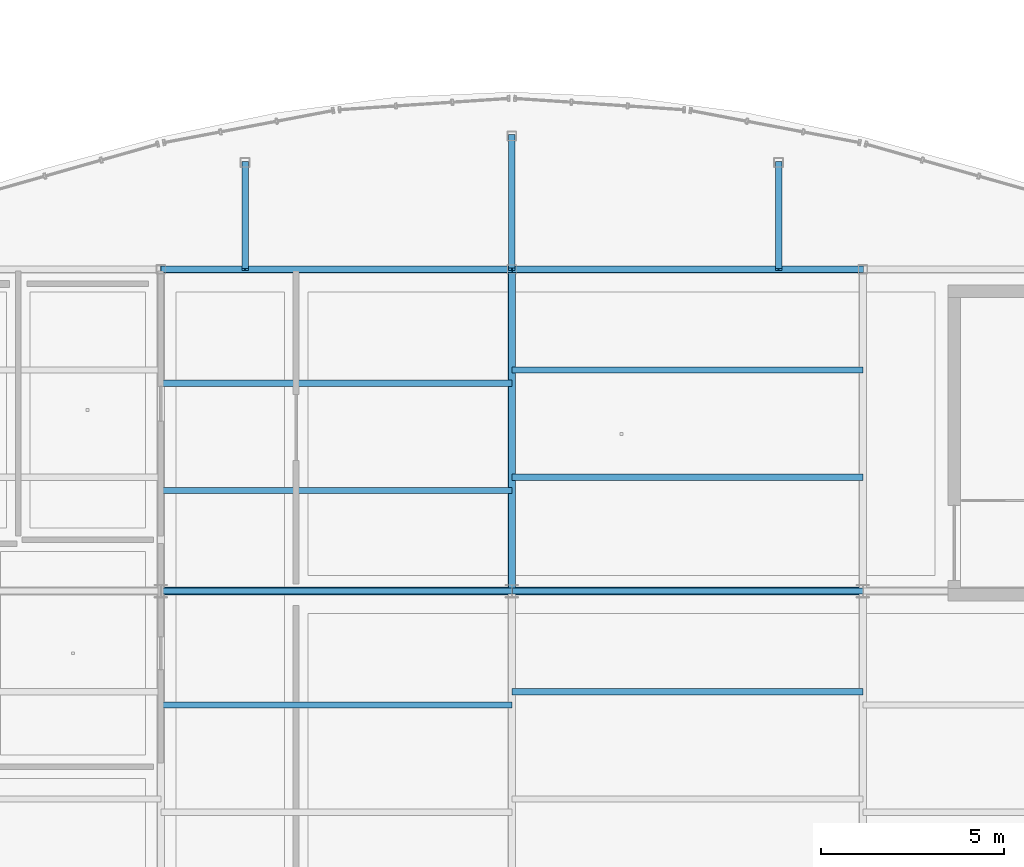
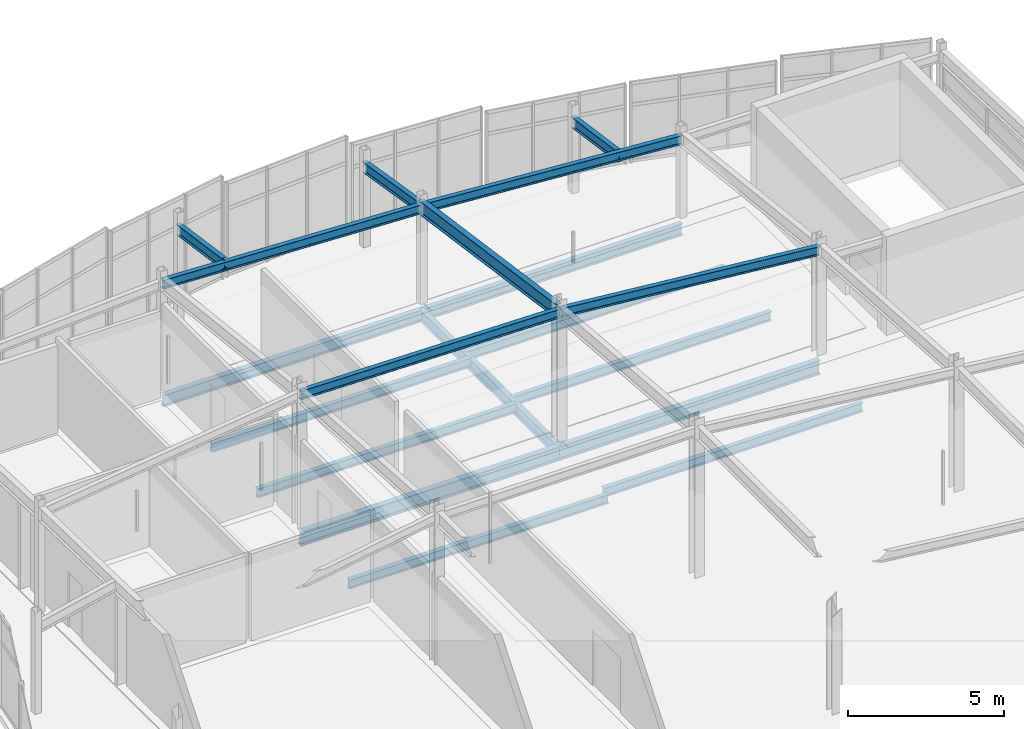
# One storey, part 31 of 114: 12 beams, 7 members.
"""IFC4 building model written with IfcOpenShell, lengths in metres."""

from ifc_helpers import new_model, si_unit, direction, frame, origin, origin_2d, place, context, subcontext, project, spatial, i_section, extrude, material, material_profile, profile_set, type_object, element, save


model = new_model("IFC4")

# Units and contexts
model_context = context("Model", 3, precision=1e-05, world=origin(), true_north=direction((0.0, 1.0)))
body_context = subcontext(model_context, "Body", "Model", "MODEL_VIEW")
ifc_project = project(units=[si_unit("LENGTHUNIT", "METRE"), si_unit("AREAUNIT", "SQUARE_METRE"), si_unit("VOLUMEUNIT", "CUBIC_METRE"), si_unit("PLANEANGLEUNIT", "RADIAN"), si_unit("MASSUNIT", "GRAM", prefix="KILO")], contexts=[model_context])

# Site, building, storey
site_placement = place(None, origin())
site = spatial("IfcSite", under=ifc_project, at=site_placement, CompositionType="ELEMENT")
building_placement = place(site_placement, origin())
building = spatial("IfcBuilding", under=site, at=building_placement, Name="Chalmorin Arch Market", CompositionType="ELEMENT")
storey_placement = place(building_placement, frame((0.0, 0.0, 9.60009765625)))
storey = spatial("IfcBuildingStorey", under=building, at=storey_placement, Name="L02", CompositionType="ELEMENT", Elevation=9.60009765625)

# Beams
ifc_material = material(Name="Steel A992 Grade 50", Category="steel")
ifc_material_profile_1 = material_profile(ifc_material, i_section(OverallWidth=0.19091796875, OverallDepth=0.45703125, WebThickness=0.009033203125, FlangeThickness=0.014404296875, FilletRadius=0.02001953125, at=origin_2d()), Name="W18X50")
ifc_profile_set_1 = profile_set([ifc_material_profile_1], Name="Steel A992 Grade 50")
beam_type_1 = type_object("IfcBeamType", Name="FloorSteelBeam-W18X50", PredefinedType="BEAM", material=ifc_profile_set_1)
beam_1_placement = place(storey_placement, frame((19.199951171875, 41.199951171875, -0.480712890625), z_axis=(0.0, 1.0, 0.0), x_axis=(-1.0, 0.0, 0.0)))
element("IfcBeam", 1, at=beam_1_placement, inside=storey, type_object=beam_type_1, Name="BM-W18B-1160", PredefinedType="BEAM", context=body_context, shape_type="SweptSolid", body=[
    extrude(i_section(OverallWidth=0.19091796875, OverallDepth=0.45703125, WebThickness=0.009033203125, FlangeThickness=0.014404296875, FilletRadius=0.02001953125, at=origin_2d()), origin(), (0.0, 0.0, 1.0), 8.800048828125),
])
ifc_material_profile_2 = material_profile(ifc_material, i_section(OverallWidth=0.19091796875, OverallDepth=0.45703125, WebThickness=0.009033203125, FlangeThickness=0.014404296875, FilletRadius=0.02001953125, at=origin_2d()), Name="W18X50")
ifc_profile_set_2 = profile_set([ifc_material_profile_2], Name="Steel A992 Grade 50")
beam_type_2 = type_object("IfcBeamType", Name="PerimeterSpandrelBeam-W18X50", PredefinedType="SPANDREL", material=ifc_profile_set_2)
beam_2_placement = place(storey_placement, frame((9.60009765625, 50.0, -0.480712890625), z_axis=(1.0, 0.0, 0.0), x_axis=(0.0, 1.0, 0.0)))
element("IfcBeam", 2, at=beam_2_placement, inside=storey, type_object=beam_type_2, Name="SP-W18-1159", PredefinedType="SPANDREL", context=body_context, shape_type="SweptSolid", body=[
    extrude(i_section(OverallWidth=0.19091796875, OverallDepth=0.45703125, WebThickness=0.009033203125, FlangeThickness=0.014404296875, FilletRadius=0.02001953125, at=origin_2d()), origin(), (0.0, 0.0, 1.0), 9.599853515625),
])
beam_3_placement = place(storey_placement, frame((19.199951171875, 50.0, -0.480712890625), z_axis=(1.0, 0.0, 0.0), x_axis=(0.0, 1.0, 0.0)))
element("IfcBeam", 3, at=beam_3_placement, inside=storey, type_object=beam_type_2, Name="SP-W18-1170", PredefinedType="SPANDREL", context=body_context, shape_type="SweptSolid", body=[
    extrude(i_section(OverallWidth=0.19091796875, OverallDepth=0.45703125, WebThickness=0.009033203125, FlangeThickness=0.014404296875, FilletRadius=0.02001953125, at=origin_2d()), origin(), (0.0, 0.0, 1.0), 9.60009765625),
])
ifc_material_profile_3 = material_profile(ifc_material, i_section(OverallWidth=0.208984375, OverallDepth=0.532958984375, WebThickness=0.01025390625, FlangeThickness=0.015625, FilletRadius=0.02197265625, at=origin_2d()), Name="W21X62")
ifc_profile_set_3 = profile_set([ifc_material_profile_3], Name="Steel A992 Grade 50")
beam_type_3 = type_object("IfcBeamType", Name="PrimarySteelGirder-W21X62", PredefinedType="BEAM", material=ifc_profile_set_3)
beam_4_placement = place(storey_placement, frame((19.199951171875, 41.199951171875, 4.968994140625), z_axis=(0.0, 0.990046492711, -0.140740691598), x_axis=(-1.0, 0.0, 0.0)))
element("IfcBeam", 4, at=beam_4_placement, inside=storey, type_object=beam_type_3, Name="BG-W21B-1536", PredefinedType="BEAM", context=body_context, shape_type="SweptSolid", body=[
    extrude(i_section(OverallWidth=0.208984375, OverallDepth=0.532958984375, WebThickness=0.01025390625, FlangeThickness=0.015625, FilletRadius=0.02197265625, at=origin_2d()), origin(), (0.0, 0.0, 1.0), 8.888427734375),
])
ifc_material_profile_4 = material_profile(ifc_material, i_section(OverallWidth=0.2119140625, OverallDepth=0.5439453125, WebThickness=0.01318359375, FlangeThickness=0.021240234375, FilletRadius=0.02197265625, at=origin_2d()), Name="W21X83")
ifc_profile_set_4 = profile_set([ifc_material_profile_4], Name="Steel A992 Grade 50")
beam_type_4 = type_object("IfcBeamType", Name="PrimarySteelGirder-W21X83", PredefinedType="BEAM", material=ifc_profile_set_4)
beam_5_placement = place(storey_placement, frame((9.60009765625, 41.199951171875, -0.524169921875), z_axis=(1.0, 0.0, 0.0), x_axis=(0.0, 1.0, 0.0)))
element("IfcBeam", 5, at=beam_5_placement, inside=storey, type_object=beam_type_4, Name="BG-W21A-1157", PredefinedType="BEAM", context=body_context, shape_type="SweptSolid", body=[
    extrude(i_section(OverallWidth=0.2119140625, OverallDepth=0.5439453125, WebThickness=0.01318359375, FlangeThickness=0.021240234375, FilletRadius=0.02197265625, at=origin_2d()), origin(), (0.0, 0.0, 1.0), 9.599853515625),
])
beam_6_placement = place(storey_placement, frame((19.199951171875, 41.199951171875, -0.524169921875), z_axis=(1.0, 0.0, 0.0), x_axis=(0.0, 1.0, 0.0)))
element("IfcBeam", 6, at=beam_6_placement, inside=storey, type_object=beam_type_4, Name="BG-W21A-1168", PredefinedType="BEAM", context=body_context, shape_type="SweptSolid", body=[
    extrude(i_section(OverallWidth=0.2119140625, OverallDepth=0.5439453125, WebThickness=0.01318359375, FlangeThickness=0.021240234375, FilletRadius=0.02197265625, at=origin_2d()), origin(), (0.0, 0.0, 1.0), 9.60009765625),
])

# Members
ifc_material_profile_5 = material_profile(ifc_material, i_section(OverallWidth=0.1708984375, OverallDepth=0.35107421875, WebThickness=0.0068359375, FlangeThickness=0.009765625, FilletRadius=0.014892578125, at=origin_2d()), Name="W14X30")
ifc_profile_set_5 = profile_set([ifc_material_profile_5], Name="Steel A992 Grade 50")
member_type_1 = type_object("IfcMemberType", Name="RoofSteelPurlin-W14X30", PredefinedType="PURLIN", material=ifc_profile_set_5)
member_1_placement = place(storey_placement, frame((9.60009765625, 41.199951171875, 5.06787109375), z_axis=(0.999895316742, 0.0, -0.014469124265), x_axis=(0.0, 1.0, 0.0)))
element("IfcMember", 7, at=member_1_placement, inside=storey, type_object=member_type_1, Name="PR-W14-0029", PredefinedType="PURLIN", context=body_context, shape_type="SweptSolid", body=[
    extrude(i_section(OverallWidth=0.1708984375, OverallDepth=0.35107421875, WebThickness=0.0068359375, FlangeThickness=0.009765625, FilletRadius=0.014892578125, at=origin_2d()), origin(), (0.0, 0.0, 1.0), 9.600830078125),
])
member_2_placement = place(storey_placement, frame((19.199951171875, 41.199951171875, 4.928955078125), z_axis=(0.99546903728, 0.0, -0.095086254616), x_axis=(0.0, 1.0, 0.0)))
element("IfcMember", 8, at=member_2_placement, inside=storey, type_object=member_type_1, Name="PR-W14-0030", PredefinedType="PURLIN", context=body_context, shape_type="SweptSolid", body=[
    extrude(i_section(OverallWidth=0.1708984375, OverallDepth=0.35107421875, WebThickness=0.0068359375, FlangeThickness=0.009765625, FilletRadius=0.014892578125, at=origin_2d()), origin(), (0.0, 0.0, 1.0), 9.643798828125),
])
member_3_placement = place(storey_placement, frame((9.60009765625, 50.0, 4.06787109375), z_axis=(0.999176252998, 0.0, -0.040580973933), x_axis=(0.0, 1.0, 0.0)))
element("IfcMember", 9, at=member_3_placement, inside=storey, type_object=member_type_1, Name="PR-W14-0033", PredefinedType="PURLIN", context=body_context, shape_type="SweptSolid", body=[
    extrude(i_section(OverallWidth=0.1708984375, OverallDepth=0.35107421875, WebThickness=0.0068359375, FlangeThickness=0.009765625, FilletRadius=0.014892578125, at=origin_2d()), origin(), (0.0, 0.0, 1.0), 9.607666015625),
])
member_4_placement = place(storey_placement, frame((19.199951171875, 50.0, 3.677978515625), z_axis=(0.997602142966, 0.0, -0.069209568334), x_axis=(0.0, 1.0, 0.0)))
element("IfcMember", 10, at=member_4_placement, inside=storey, type_object=member_type_1, Name="PR-W14-0034", PredefinedType="PURLIN", context=body_context, shape_type="SweptSolid", body=[
    extrude(i_section(OverallWidth=0.1708984375, OverallDepth=0.35107421875, WebThickness=0.0068359375, FlangeThickness=0.009765625, FilletRadius=0.014892578125, at=origin_2d()), origin(), (0.0, 0.0, 1.0), 9.623291015625),
])
ifc_material_profile_6 = material_profile(ifc_material, i_section(OverallWidth=0.178955078125, OverallDepth=0.409912109375, WebThickness=0.0087890625, FlangeThickness=0.014404296875, FilletRadius=0.01806640625, at=origin_2d()), Name="W16X45")
ifc_profile_set_6 = profile_set([ifc_material_profile_6], Name="Steel A992 Grade 50")
member_type_2 = type_object("IfcMemberType", Name="RoofSteelPurlin-W16X45", PredefinedType="PURLIN", material=ifc_profile_set_6)
member_5_placement = place(storey_placement, frame((11.904052734375, 52.924072265625, 3.6328125), z_axis=(0.0, -0.989786868709, 0.142555092972), x_axis=(1.0, 0.0, 0.0)))
element("IfcMember", 11, at=member_5_placement, inside=storey, type_object=member_type_2, Name="PR-W16-0037", PredefinedType="PURLIN", context=body_context, shape_type="SweptSolid", body=[
    extrude(i_section(OverallWidth=0.178955078125, OverallDepth=0.409912109375, WebThickness=0.0087890625, FlangeThickness=0.014404296875, FilletRadius=0.01806640625, at=origin_2d()), origin(), (0.0, 0.0, 1.0), 2.954345703125),
])
member_6_placement = place(storey_placement, frame((19.199951171875, 53.64990234375, 3.080810546875), z_axis=(0.0, -0.986878408168, 0.161465189724), x_axis=(1.0, 0.0, 0.0)))
element("IfcMember", 12, at=member_6_placement, inside=storey, type_object=member_type_2, Name="PR-W16-0039", PredefinedType="PURLIN", context=body_context, shape_type="SweptSolid", body=[
    extrude(i_section(OverallWidth=0.178955078125, OverallDepth=0.409912109375, WebThickness=0.0087890625, FlangeThickness=0.014404296875, FilletRadius=0.01806640625, at=origin_2d()), origin(), (0.0, 0.0, 1.0), 3.698486328125),
])
member_7_placement = place(storey_placement, frame((26.49609375, 52.924072265625, 2.719970703125), z_axis=(0.0, -0.989845091969, 0.142150251164), x_axis=(1.0, 0.0, 0.0)))
element("IfcMember", 13, at=member_7_placement, inside=storey, type_object=member_type_2, Name="PR-W16-0041", PredefinedType="PURLIN", context=body_context, shape_type="SweptSolid", body=[
    extrude(i_section(OverallWidth=0.178955078125, OverallDepth=0.409912109375, WebThickness=0.0087890625, FlangeThickness=0.014404296875, FilletRadius=0.01806640625, at=origin_2d()), origin(), (0.0, 0.0, 1.0), 2.9541015625),
])

# Beams
ifc_material_profile_7 = material_profile(ifc_material, i_section(OverallWidth=0.1708984375, OverallDepth=0.35107421875, WebThickness=0.0068359375, FlangeThickness=0.009765625, FilletRadius=0.014892578125, at=origin_2d()), Name="W14X30")
ifc_profile_set_7 = profile_set([ifc_material_profile_7], Name="Steel A992 Grade 50")
beam_type_5 = type_object("IfcBeamType", Name="SecondaryFloorJoist-W14X30", PredefinedType="JOIST", material=ifc_profile_set_7)
for number, where, z_axis, x_axis, name in (
    (14, (9.60009765625, 38.086669921875, -0.427490234375), (1.0, 0.0, 0.0), (0.0, 1.0, 0.0), "BJ-W14-1198"),
    (15, (9.60009765625, 43.953369140625, -0.427490234375), (1.0, 0.0, 0.0), (0.0, 1.0, 0.0), "BJ-W14-1199"),
    (16, (9.60009765625, 46.88671875, -0.427490234375), (1.0, 0.0, 0.0), (0.0, 1.0, 0.0), "BJ-W14-1200"),
):
    element("IfcBeam", number, at=place(storey_placement, frame(where, z_axis=z_axis, x_axis=x_axis)), inside=storey, type_object=beam_type_5, Name=name, PredefinedType="JOIST", context=body_context, shape_type="SweptSolid", body=[
        extrude(i_section(OverallWidth=0.1708984375, OverallDepth=0.35107421875, WebThickness=0.0068359375, FlangeThickness=0.009765625, FilletRadius=0.014892578125, at=origin_2d()), origin(), (0.0, 0.0, 1.0), 9.599853515625),
    ])
for number, where, z_axis, x_axis, name in (
    (17, (19.199951171875, 38.44677734375, -0.427490234375), (1.0, 0.0, 0.0), (0.0, 1.0, 0.0), "BJ-W14-1208"),
    (18, (19.199951171875, 44.313232421875, -0.427490234375), (1.0, 0.0, 0.0), (0.0, 1.0, 0.0), "BJ-W14-1209"),
    (19, (19.199951171875, 47.24658203125, -0.427490234375), (1.0, 0.0, 0.0), (0.0, 1.0, 0.0), "BJ-W14-1210"),
):
    element("IfcBeam", number, at=place(storey_placement, frame(where, z_axis=z_axis, x_axis=x_axis)), inside=storey, type_object=beam_type_5, Name=name, PredefinedType="JOIST", context=body_context, shape_type="SweptSolid", body=[
        extrude(i_section(OverallWidth=0.1708984375, OverallDepth=0.35107421875, WebThickness=0.0068359375, FlangeThickness=0.009765625, FilletRadius=0.014892578125, at=origin_2d()), origin(), (0.0, 0.0, 1.0), 9.60009765625),
    ])

save(model, "model.ifc")
